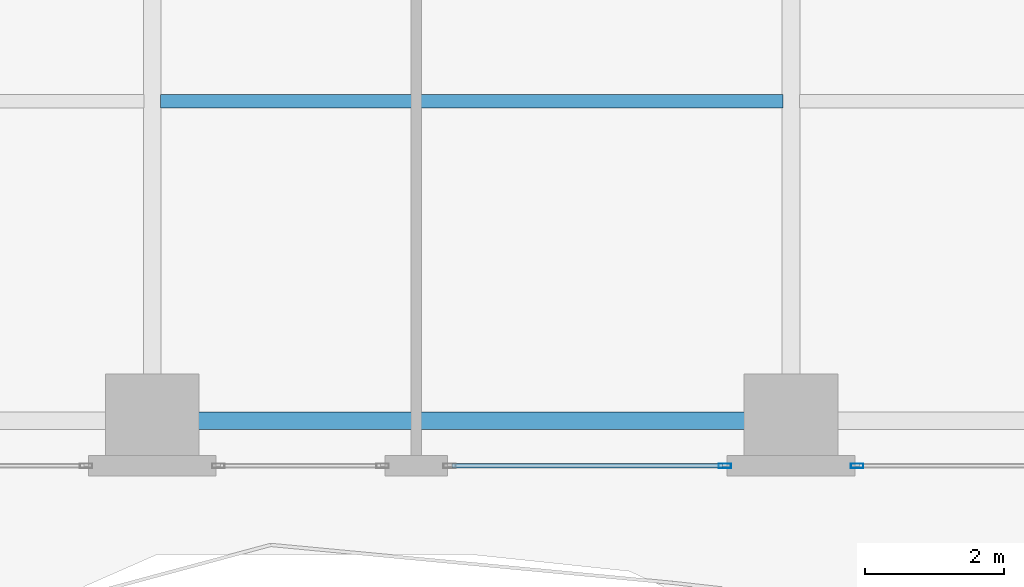
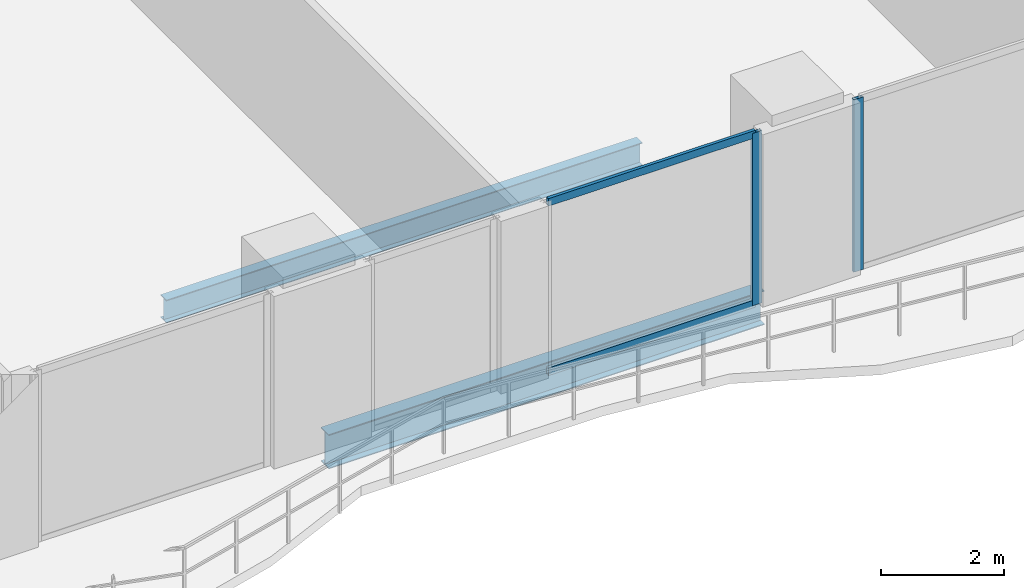
# One storey, part 5 of 28: 4 members, 2 beams, 2 elements without a shape of their own.
"""IFC4 building model written with IfcOpenShell, lengths in metres."""

from ifc_helpers import new_model, si_unit, direction, frame, origin, origin_2d, place, context, subcontext, project, spatial, hollow_rectangle, i_section, extrude, material, layer, layer_set, material_profile, profile_set, type_object, element, aggregate, save


model = new_model("IFC4")

# Units and contexts
model_context = context("Model", 3, precision=1e-05, world=origin(), true_north=direction((0.0, 1.0)))
body_context = subcontext(model_context, "Body", "Model", "MODEL_VIEW")
ifc_project = project(units=[si_unit("LENGTHUNIT", "METRE"), si_unit("AREAUNIT", "SQUARE_METRE"), si_unit("VOLUMEUNIT", "CUBIC_METRE"), si_unit("PLANEANGLEUNIT", "RADIAN"), si_unit("MASSUNIT", "GRAM", prefix="KILO")], contexts=[model_context])

# Site, building, storey
site_placement = place(None, origin())
site = spatial("IfcSite", under=ifc_project, at=site_placement, CompositionType="ELEMENT")
building_placement = place(site_placement, origin())
building = spatial("IfcBuilding", under=site, at=building_placement, Name="Zuhayl Quay Hotel", CompositionType="ELEMENT")
storey_placement = place(building_placement, frame((0.0, 0.0, 146.75)))
storey = spatial("IfcBuildingStorey", under=building, at=storey_placement, Name="L37", CompositionType="ELEMENT", Elevation=146.75)

# Beams
ifc_material_1 = material(Name="Steel ASTM A992 Grade 50", Category="steel")
ifc_material_profile_1 = material_profile(ifc_material_1, i_section(OverallWidth=0.25390625, OverallDepth=0.68310546875, WebThickness=0.012451171875, FlangeThickness=0.018798828125, at=origin_2d()), Name="W27X94")
ifc_profile_set_1 = profile_set([ifc_material_profile_1], Name="Steel ASTM A992 Grade 50")
beam_type_1 = type_object("IfcBeamType", Name="BM_B2_W27X94", PredefinedType="BEAM", material=ifc_profile_set_1)
beam_1_placement = place(storey_placement, frame((-4.10009765625, -14.75, -0.5615234375), z_axis=(1.0, 0.0, 0.0), x_axis=(0.0, 1.0, 0.0)))
element("IfcBeam", 1, at=beam_1_placement, inside=storey, type_object=beam_type_1, Name="L37 Floor Beam RG_L37_02", PredefinedType="BEAM", context=body_context, shape_type="SweptSolid", body=[
    extrude(i_section(OverallWidth=0.25390625, OverallDepth=0.68310546875, WebThickness=0.012451171875, FlangeThickness=0.018798828125, at=origin_2d()), origin(), (0.0, 0.0, 1.0), 8.2001953125),
])
ifc_material_profile_2 = material_profile(ifc_material_1, i_section(OverallWidth=0.18994140625, OverallDepth=0.45703125, WebThickness=0.009033203125, FlangeThickness=0.014404296875, at=origin_2d()), Name="W18X50")
ifc_profile_set_2 = profile_set([ifc_material_profile_2], Name="Steel ASTM A992 Grade 50")
beam_type_2 = type_object("IfcBeamType", Name="BM_J2_W18X50", PredefinedType="JOIST", material=ifc_profile_set_2)
beam_2_placement = place(storey_placement, frame((-4.48095703125, -10.14990234375, -0.448486328125), z_axis=(1.0, 0.0, 0.0), x_axis=(0.0, 1.0, 0.0)))
element("IfcBeam", 2, at=beam_2_placement, inside=storey, type_object=beam_type_2, Name="L37 Floor Beam FJ_L37_5_2", PredefinedType="JOIST", context=body_context, shape_type="SweptSolid", body=[
    extrude(i_section(OverallWidth=0.18994140625, OverallDepth=0.45703125, WebThickness=0.009033203125, FlangeThickness=0.014404296875, at=origin_2d()), origin(), (0.0, 0.0, 1.0), 8.9619140625),
])

# Curtain wall, member
ifc_material_2 = material(Name="Anodised Aluminium 6063-T6", Category="aluminium")
ifc_layer = layer(ifc_material_2, 0.179931640625, Name="Anodised Aluminium 6063-T6", Category="aluminium")
ifc_layer_set = layer_set([ifc_layer], Name="Anodised Aluminium 6063-T6")
curtain_wall_type = type_object("IfcCurtainWallType", Name="CW_SYS_Z2", PredefinedType="USERDEFINED", material=ifc_layer_set)
curtain_wall_1_placement = place(storey_placement, origin())
curtain_wall_1 = element("IfcCurtainWall", 3, at=curtain_wall_1_placement, inside=storey, type_object=curtain_wall_type, Name="L37 Curtain Wall ENV_L37_S_CW3", ObjectType="UNITISED CURTAIN WALL", PredefinedType="USERDEFINED")
ifc_material_3 = material(Name="Black-anodised aluminium 6063-T6", Category="aluminium")
ifc_material_profile_3 = material_profile(ifc_material_3, hollow_rectangle(XDim=0.06494140625, YDim=0.179931640625, WallThickness=0.00341796875, at=origin_2d()), Name="ALU180X65")
ifc_profile_set_3 = profile_set([ifc_material_profile_3], Name="Black-anodised aluminium 6063-T6")
member_type_1 = type_object("IfcMemberType", Name="MB_CW_MUL_180", PredefinedType="MULLION", material=ifc_profile_set_3)
member_1_placement = place(storey_placement, frame((5.552490234375, -15.39990234375, 0.0), z_axis=(0.0, 0.0, 1.0), x_axis=(0.0, -1.0, 0.0)))
member_1 = element("IfcMember", 4, at=member_1_placement, type_object=member_type_1, Name="CW-Z2 mullion 2", PredefinedType="MULLION", context=body_context, shape_type="SweptSolid", body=[
    extrude(hollow_rectangle(XDim=0.06494140625, YDim=0.179931640625, WallThickness=0.00341796875, at=origin_2d()), origin(), (0.0, 0.0, 1.0), 3.429931640625),
])
aggregate(curtain_wall_1, [member_1])

# Curtain wall, members
curtain_wall_2_placement = place(storey_placement, origin())
curtain_wall_2 = element("IfcCurtainWall", 5, at=curtain_wall_2_placement, inside=storey, type_object=curtain_wall_type, Name="L37 Curtain Wall ENV_L37_S_CW4", ObjectType="UNITISED CURTAIN WALL", PredefinedType="USERDEFINED")
member_2_placement = place(storey_placement, frame((3.6474609375, -15.39990234375, 0.0), z_axis=(0.0, 0.0, 1.0), x_axis=(0.0, -1.0, 0.0)))
member_2 = element("IfcMember", 6, at=member_2_placement, type_object=member_type_1, Name="CW-Z2 mullion 1", PredefinedType="MULLION", context=body_context, shape_type="SweptSolid", body=[
    extrude(hollow_rectangle(XDim=0.06494140625, YDim=0.179931640625, WallThickness=0.00341796875, at=origin_2d()), origin(), (0.0, 0.0, 1.0), 3.429931640625),
])
ifc_material_profile_4 = material_profile(ifc_material_3, hollow_rectangle(XDim=0.06005859375, YDim=0.14990234375, WallThickness=0.00341796875, at=origin_2d()), Name="ALU150X60")
ifc_profile_set_4 = profile_set([ifc_material_profile_4], Name="Black-anodised aluminium 6063-T6")
member_type_2 = type_object("IfcMemberType", Name="MB_CW_TRN_150", PredefinedType="USERDEFINED", material=ifc_profile_set_4)
member_3_placement = place(storey_placement, frame((3.614990234375, -15.39990234375, 0.030029296875), z_axis=(-1.0, 0.0, 0.0), x_axis=(0.0, -1.0, 0.0)))
member_3 = element("IfcMember", 7, at=member_3_placement, type_object=member_type_2, Name="CW-Z2 transom 1.1", ObjectType="TRANSOM", PredefinedType="USERDEFINED", context=body_context, shape_type="SweptSolid", body=[
    extrude(hollow_rectangle(XDim=0.06005859375, YDim=0.14990234375, WallThickness=0.00341796875, at=origin_2d()), origin(), (0.0, 0.0, 1.0), 3.89990234375),
])
member_4_placement = place(storey_placement, frame((3.614990234375, -15.39990234375, 3.39990234375), z_axis=(-1.0, 0.0, 0.0), x_axis=(0.0, -1.0, 0.0)))
member_4 = element("IfcMember", 8, at=member_4_placement, type_object=member_type_2, Name="CW-Z2 transom 1.2", ObjectType="TRANSOM", PredefinedType="USERDEFINED", context=body_context, shape_type="SweptSolid", body=[
    extrude(hollow_rectangle(XDim=0.06005859375, YDim=0.14990234375, WallThickness=0.00341796875, at=origin_2d()), origin(), (0.0, 0.0, 1.0), 3.89990234375),
])
aggregate(curtain_wall_2, [member_2, member_3, member_4])

save(model, "model.ifc")
